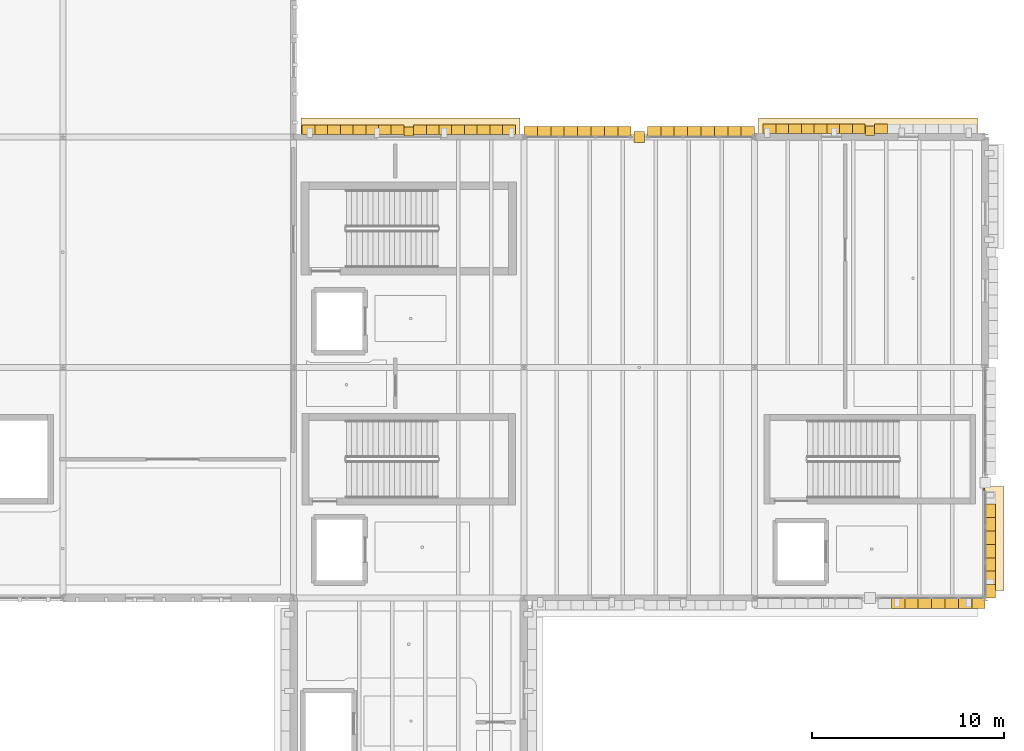
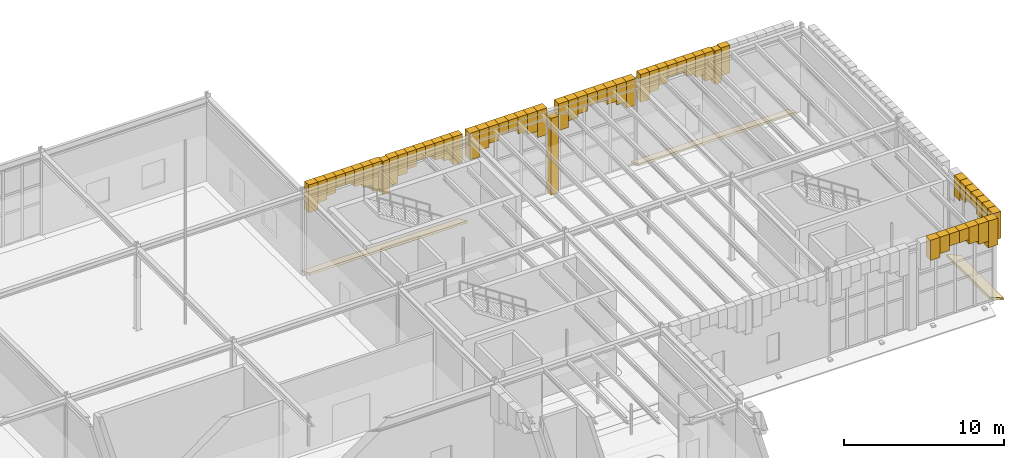
# One storey, part 60 of 62: 61 coverings.
"""IFC4 building model written with IfcOpenShell, lengths in metres."""

from ifc_helpers import new_model, si_unit, direction, frame, origin, place, context, subcontext, project, spatial, polyline, outline, extrude, material, layer, layer_set, type_object, element, save


model = new_model("IFC4")

# Units and contexts
model_context = context("Model", 3, precision=1e-05, world=origin(), true_north=direction((0.0, 1.0)))
body_context = subcontext(model_context, "Body", "Model", "MODEL_VIEW")
ifc_project = project(units=[si_unit("LENGTHUNIT", "METRE"), si_unit("AREAUNIT", "SQUARE_METRE"), si_unit("VOLUMEUNIT", "CUBIC_METRE"), si_unit("PLANEANGLEUNIT", "RADIAN"), si_unit("MASSUNIT", "GRAM", prefix="KILO")], contexts=[model_context])

# Site, building, storey
site_placement = place(None, origin())
site = spatial("IfcSite", under=ifc_project, at=site_placement, CompositionType="ELEMENT")
building_placement = place(site_placement, origin())
building = spatial("IfcBuilding", under=site, at=building_placement, Name="Zlatogorsky Bluff Art Gallery", CompositionType="ELEMENT")
storey_placement = place(building_placement, frame((0.0, 0.0, 16.800048828125)))
storey = spatial("IfcBuildingStorey", under=building, at=storey_placement, Name="L03", CompositionType="ELEMENT", Elevation=16.800048828125)

# Coverings
ifc_material = material(Name="Honed Red Agra-Tone Quartzitic Sandstone", Category="masonry")
ifc_layer = layer(ifc_material, 0.1201171875)
ifc_layer_set = layer_set([ifc_layer], Name="Carved Sandstone Cladding CLD-02")
covering_type = type_object("IfcCoveringType", Name="Carved Sandstone Cladding CLD-02", PredefinedType="CLADDING", material=ifc_layer_set)
covering_1_placement = place(storey_placement, frame((0.0, 0.0, 4.0)))
element("IfcCovering", 1, at=covering_1_placement, inside=storey, type_object=covering_type, Name="Mughal blind-arch sandstone pilaster L03.N.10.9", PredefinedType="CLADDING", context=body_context, shape_type="SweptSolid", body=[
    extrude(outline(polyline([(125.760009765625, 108.0400390625), (126.239990234375, 108.0400390625), (126.239990234375, 108.52001953125), (125.760009765625, 108.52001953125), (125.760009765625, 108.0400390625)])), origin(), (0.0, 0.0, 1.0), 2.56005859375),
])
covering_2_placement = place(storey_placement, frame((0.0, 0.0, 4.4423828125)))
element("IfcCovering", 2, at=covering_2_placement, inside=storey, type_object=covering_type, Name="Pointed Mughal arch voussoir spandrel WARCH-L03-N-10-09-A.1", PredefinedType="CLADDING", context=body_context, shape_type="SweptSolid", body=[
    extrude(outline(polyline([(120.449951171875, 108.1298828125), (121.112548828125, 108.1298828125), (121.112548828125, 108.6201171875), (120.449951171875, 108.6201171875), (120.449951171875, 108.1298828125)])), origin(), (0.0, 0.0, 1.0), 2.11767578125),
])
covering_3_placement = place(storey_placement, frame((0.0, 0.0, 4.9736328125)))
element("IfcCovering", 3, at=covering_3_placement, inside=storey, type_object=covering_type, Name="Pointed Mughal arch voussoir spandrel WARCH-L03-N-10-09-A.2", PredefinedType="CLADDING", context=body_context, shape_type="SweptSolid", body=[
    extrude(outline(polyline([(121.112548828125, 108.1298828125), (121.77490234375, 108.1298828125), (121.77490234375, 108.6201171875), (121.112548828125, 108.6201171875), (121.112548828125, 108.1298828125)])), origin(), (0.0, 0.0, 1.0), 1.58642578125),
])
covering_4_placement = place(storey_placement, frame((0.0, 0.0, 5.2666015625)))
element("IfcCovering", 4, at=covering_4_placement, inside=storey, type_object=covering_type, Name="Pointed Mughal arch voussoir spandrel WARCH-L03-N-10-09-A.3", PredefinedType="CLADDING", context=body_context, shape_type="SweptSolid", body=[
    extrude(outline(polyline([(121.77490234375, 108.1298828125), (122.4375, 108.1298828125), (122.4375, 108.6201171875), (121.77490234375, 108.6201171875), (121.77490234375, 108.1298828125)])), origin(), (0.0, 0.0, 1.0), 1.29345703125),
])
covering_5_placement = place(storey_placement, frame((0.0, 0.0, 5.63525390625)))
element("IfcCovering", 5, at=covering_5_placement, inside=storey, type_object=covering_type, Name="Pointed Mughal arch voussoir spandrel WARCH-L03-N-10-09-A.4", PredefinedType="CLADDING", context=body_context, shape_type="SweptSolid", body=[
    extrude(outline(polyline([(122.4375, 108.1298828125), (123.10009765625, 108.1298828125), (123.10009765625, 108.6201171875), (122.4375, 108.6201171875), (122.4375, 108.1298828125)])), origin(), (0.0, 0.0, 1.0), 0.9248046875),
])
covering_6_placement = place(storey_placement, frame((0.0, 0.0, 5.63525390625)))
element("IfcCovering", 6, at=covering_6_placement, inside=storey, type_object=covering_type, Name="Pointed Mughal arch voussoir spandrel WARCH-L03-N-10-09-A.5", PredefinedType="CLADDING", context=body_context, shape_type="SweptSolid", body=[
    extrude(outline(polyline([(123.10009765625, 108.1298828125), (123.762451171875, 108.1298828125), (123.762451171875, 108.6201171875), (123.10009765625, 108.6201171875), (123.10009765625, 108.1298828125)])), origin(), (0.0, 0.0, 1.0), 0.9248046875),
])
covering_7_placement = place(storey_placement, frame((0.0, 0.0, 5.2666015625)))
element("IfcCovering", 7, at=covering_7_placement, inside=storey, type_object=covering_type, Name="Pointed Mughal arch voussoir spandrel WARCH-L03-N-10-09-A.6", PredefinedType="CLADDING", context=body_context, shape_type="SweptSolid", body=[
    extrude(outline(polyline([(123.762451171875, 108.1298828125), (124.425048828125, 108.1298828125), (124.425048828125, 108.6201171875), (123.762451171875, 108.6201171875), (123.762451171875, 108.1298828125)])), origin(), (0.0, 0.0, 1.0), 1.29345703125),
])
covering_8_placement = place(storey_placement, frame((0.0, 0.0, 4.9736328125)))
element("IfcCovering", 8, at=covering_8_placement, inside=storey, type_object=covering_type, Name="Pointed Mughal arch voussoir spandrel WARCH-L03-N-10-09-A.7", PredefinedType="CLADDING", context=body_context, shape_type="SweptSolid", body=[
    extrude(outline(polyline([(124.425048828125, 108.1298828125), (125.08740234375, 108.1298828125), (125.08740234375, 108.6201171875), (124.425048828125, 108.6201171875), (124.425048828125, 108.1298828125)])), origin(), (0.0, 0.0, 1.0), 1.58642578125),
])
covering_9_placement = place(storey_placement, frame((0.0, 0.0, 4.4423828125)))
element("IfcCovering", 9, at=covering_9_placement, inside=storey, type_object=covering_type, Name="Pointed Mughal arch voussoir spandrel WARCH-L03-N-10-09-A.8", PredefinedType="CLADDING", context=body_context, shape_type="SweptSolid", body=[
    extrude(outline(polyline([(125.08740234375, 108.1298828125), (125.75, 108.1298828125), (125.75, 108.6201171875), (125.08740234375, 108.6201171875), (125.08740234375, 108.1298828125)])), origin(), (0.0, 0.0, 1.0), 2.11767578125),
])
covering_10_placement = place(storey_placement, frame((0.0, 0.0, 4.4423828125)))
element("IfcCovering", 10, at=covering_10_placement, inside=storey, type_object=covering_type, Name="Pointed Mughal arch voussoir spandrel WARCH-L03-N-10-09-B.1", PredefinedType="CLADDING", context=body_context, shape_type="SweptSolid", body=[
    extrude(outline(polyline([(126.25, 108.1298828125), (126.91259765625, 108.1298828125), (126.91259765625, 108.6201171875), (126.25, 108.6201171875), (126.25, 108.1298828125)])), origin(), (0.0, 0.0, 1.0), 2.11767578125),
])
covering_11_placement = place(storey_placement, frame((0.0, 0.0, 4.9736328125)))
element("IfcCovering", 11, at=covering_11_placement, inside=storey, type_object=covering_type, Name="Pointed Mughal arch voussoir spandrel WARCH-L03-N-10-09-B.2", PredefinedType="CLADDING", context=body_context, shape_type="SweptSolid", body=[
    extrude(outline(polyline([(126.91259765625, 108.1298828125), (127.574951171875, 108.1298828125), (127.574951171875, 108.6201171875), (126.91259765625, 108.6201171875), (126.91259765625, 108.1298828125)])), origin(), (0.0, 0.0, 1.0), 1.58642578125),
])
covering_12_placement = place(storey_placement, frame((0.0, 0.0, 5.2666015625)))
element("IfcCovering", 12, at=covering_12_placement, inside=storey, type_object=covering_type, Name="Pointed Mughal arch voussoir spandrel WARCH-L03-N-10-09-B.3", PredefinedType="CLADDING", context=body_context, shape_type="SweptSolid", body=[
    extrude(outline(polyline([(127.574951171875, 108.1298828125), (128.237548828125, 108.1298828125), (128.237548828125, 108.6201171875), (127.574951171875, 108.6201171875), (127.574951171875, 108.1298828125)])), origin(), (0.0, 0.0, 1.0), 1.29345703125),
])
covering_13_placement = place(storey_placement, frame((0.0, 0.0, 5.63525390625)))
element("IfcCovering", 13, at=covering_13_placement, inside=storey, type_object=covering_type, Name="Pointed Mughal arch voussoir spandrel WARCH-L03-N-10-09-B.4", PredefinedType="CLADDING", context=body_context, shape_type="SweptSolid", body=[
    extrude(outline(polyline([(128.237548828125, 108.1298828125), (128.89990234375, 108.1298828125), (128.89990234375, 108.6201171875), (128.237548828125, 108.6201171875), (128.237548828125, 108.1298828125)])), origin(), (0.0, 0.0, 1.0), 0.9248046875),
])
covering_14_placement = place(storey_placement, frame((0.0, 0.0, 5.63525390625)))
element("IfcCovering", 14, at=covering_14_placement, inside=storey, type_object=covering_type, Name="Pointed Mughal arch voussoir spandrel WARCH-L03-N-10-09-B.5", PredefinedType="CLADDING", context=body_context, shape_type="SweptSolid", body=[
    extrude(outline(polyline([(128.89990234375, 108.1298828125), (129.5625, 108.1298828125), (129.5625, 108.6201171875), (128.89990234375, 108.6201171875), (128.89990234375, 108.1298828125)])), origin(), (0.0, 0.0, 1.0), 0.9248046875),
])
covering_15_placement = place(storey_placement, frame((0.0, 0.0, 5.2666015625)))
element("IfcCovering", 15, at=covering_15_placement, inside=storey, type_object=covering_type, Name="Pointed Mughal arch voussoir spandrel WARCH-L03-N-10-09-B.6", PredefinedType="CLADDING", context=body_context, shape_type="SweptSolid", body=[
    extrude(outline(polyline([(129.5625, 108.1298828125), (130.22509765625, 108.1298828125), (130.22509765625, 108.6201171875), (129.5625, 108.6201171875), (129.5625, 108.1298828125)])), origin(), (0.0, 0.0, 1.0), 1.29345703125),
])
covering_16_placement = place(storey_placement, frame((0.0, 0.0, 4.9736328125)))
element("IfcCovering", 16, at=covering_16_placement, inside=storey, type_object=covering_type, Name="Pointed Mughal arch voussoir spandrel WARCH-L03-N-10-09-B.7", PredefinedType="CLADDING", context=body_context, shape_type="SweptSolid", body=[
    extrude(outline(polyline([(130.22509765625, 108.1298828125), (130.887451171875, 108.1298828125), (130.887451171875, 108.6201171875), (130.22509765625, 108.6201171875), (130.22509765625, 108.1298828125)])), origin(), (0.0, 0.0, 1.0), 1.58642578125),
])
covering_17_placement = place(storey_placement, frame((0.0, 0.0, 4.4423828125)))
element("IfcCovering", 17, at=covering_17_placement, inside=storey, type_object=covering_type, Name="Pointed Mughal arch voussoir spandrel WARCH-L03-N-10-09-B.8", PredefinedType="CLADDING", context=body_context, shape_type="SweptSolid", body=[
    extrude(outline(polyline([(130.887451171875, 108.1298828125), (131.550048828125, 108.1298828125), (131.550048828125, 108.6201171875), (130.887451171875, 108.6201171875), (130.887451171875, 108.1298828125)])), origin(), (0.0, 0.0, 1.0), 2.11767578125),
])
covering_18_placement = place(storey_placement, frame((0.0, 0.0, -0.030029296875)))
element("IfcCovering", 18, at=covering_18_placement, inside=storey, type_object=covering_type, Name="Mughal dalan central sandstone pier L03 N 11.9", PredefinedType="CLADDING", context=body_context, shape_type="SweptSolid", body=[
    extrude(outline(polyline([(137.719970703125, 107.719970703125), (138.280029296875, 107.719970703125), (138.280029296875, 108.280029296875), (137.719970703125, 108.280029296875), (137.719970703125, 107.719970703125)])), origin(), (0.0, 0.0, 1.0), 5.8798828125),
])
covering_19_placement = place(storey_placement, frame((0.0, 0.0, 4.517822265625)))
element("IfcCovering", 19, at=covering_19_placement, inside=storey, type_object=covering_type, Name="Pointed Mughal arch voussoir spandrel ARCH-CW-L03-N-11-09-A.1", PredefinedType="CLADDING", context=body_context, shape_type="SweptSolid", body=[
    extrude(outline(polyline([(138.419921875, 107.969970703125), (139.117431640625, 107.969970703125), (139.117431640625, 108.5400390625), (138.419921875, 108.5400390625), (138.419921875, 107.969970703125)])), origin(), (0.0, 0.0, 1.0), 2.042236328125),
])
covering_20_placement = place(storey_placement, frame((0.0, 0.0, 5.01953125)))
element("IfcCovering", 20, at=covering_20_placement, inside=storey, type_object=covering_type, Name="Pointed Mughal arch voussoir spandrel ARCH-CW-L03-N-11-09-A.2", PredefinedType="CLADDING", context=body_context, shape_type="SweptSolid", body=[
    extrude(outline(polyline([(139.117431640625, 107.969970703125), (139.81494140625, 107.969970703125), (139.81494140625, 108.5400390625), (139.117431640625, 108.5400390625), (139.117431640625, 107.969970703125)])), origin(), (0.0, 0.0, 1.0), 1.54052734375),
])
covering_21_placement = place(storey_placement, frame((0.0, 0.0, 5.29638671875)))
element("IfcCovering", 21, at=covering_21_placement, inside=storey, type_object=covering_type, Name="Pointed Mughal arch voussoir spandrel ARCH-CW-L03-N-11-09-A.3", PredefinedType="CLADDING", context=body_context, shape_type="SweptSolid", body=[
    extrude(outline(polyline([(139.81494140625, 107.969970703125), (140.512451171875, 107.969970703125), (140.512451171875, 108.5400390625), (139.81494140625, 108.5400390625), (139.81494140625, 107.969970703125)])), origin(), (0.0, 0.0, 1.0), 1.263671875),
])
covering_22_placement = place(storey_placement, frame((0.0, 0.0, 5.64453125)))
element("IfcCovering", 22, at=covering_22_placement, inside=storey, type_object=covering_type, Name="Pointed Mughal arch voussoir spandrel ARCH-CW-L03-N-11-09-A.4", PredefinedType="CLADDING", context=body_context, shape_type="SweptSolid", body=[
    extrude(outline(polyline([(140.512451171875, 107.969970703125), (141.2099609375, 107.969970703125), (141.2099609375, 108.5400390625), (140.512451171875, 108.5400390625), (140.512451171875, 107.969970703125)])), origin(), (0.0, 0.0, 1.0), 0.91552734375),
])
covering_23_placement = place(storey_placement, frame((0.0, 0.0, 5.64453125)))
element("IfcCovering", 23, at=covering_23_placement, inside=storey, type_object=covering_type, Name="Pointed Mughal arch voussoir spandrel ARCH-CW-L03-N-11-09-A.5", PredefinedType="CLADDING", context=body_context, shape_type="SweptSolid", body=[
    extrude(outline(polyline([(141.2099609375, 107.969970703125), (141.907470703125, 107.969970703125), (141.907470703125, 108.5400390625), (141.2099609375, 108.5400390625), (141.2099609375, 107.969970703125)])), origin(), (0.0, 0.0, 1.0), 0.91552734375),
])
covering_24_placement = place(storey_placement, frame((0.0, 0.0, 5.29638671875)))
element("IfcCovering", 24, at=covering_24_placement, inside=storey, type_object=covering_type, Name="Pointed Mughal arch voussoir spandrel ARCH-CW-L03-N-11-09-A.6", PredefinedType="CLADDING", context=body_context, shape_type="SweptSolid", body=[
    extrude(outline(polyline([(141.907470703125, 107.969970703125), (142.60498046875, 107.969970703125), (142.60498046875, 108.5400390625), (141.907470703125, 108.5400390625), (141.907470703125, 107.969970703125)])), origin(), (0.0, 0.0, 1.0), 1.263671875),
])
covering_25_placement = place(storey_placement, frame((0.0, 0.0, 5.01953125)))
element("IfcCovering", 25, at=covering_25_placement, inside=storey, type_object=covering_type, Name="Pointed Mughal arch voussoir spandrel ARCH-CW-L03-N-11-09-A.7", PredefinedType="CLADDING", context=body_context, shape_type="SweptSolid", body=[
    extrude(outline(polyline([(142.60498046875, 107.969970703125), (143.302490234375, 107.969970703125), (143.302490234375, 108.5400390625), (142.60498046875, 108.5400390625), (142.60498046875, 107.969970703125)])), origin(), (0.0, 0.0, 1.0), 1.54052734375),
])
covering_26_placement = place(storey_placement, frame((0.0, 0.0, 4.517822265625)))
element("IfcCovering", 26, at=covering_26_placement, inside=storey, type_object=covering_type, Name="Pointed Mughal arch voussoir spandrel ARCH-CW-L03-N-11-09-A.8", PredefinedType="CLADDING", context=body_context, shape_type="SweptSolid", body=[
    extrude(outline(polyline([(143.302490234375, 107.969970703125), (144.0, 107.969970703125), (144.0, 108.5400390625), (143.302490234375, 108.5400390625), (143.302490234375, 107.969970703125)])), origin(), (0.0, 0.0, 1.0), 2.042236328125),
])
covering_27_placement = place(storey_placement, frame((0.0, 0.0, 4.517822265625)))
element("IfcCovering", 27, at=covering_27_placement, inside=storey, type_object=covering_type, Name="Pointed Mughal arch voussoir spandrel ARCH-CW-L03-N-11-09-B.1", PredefinedType="CLADDING", context=body_context, shape_type="SweptSolid", body=[
    extrude(outline(polyline([(132.0, 107.969970703125), (132.697509765625, 107.969970703125), (132.697509765625, 108.5400390625), (132.0, 108.5400390625), (132.0, 107.969970703125)])), origin(), (0.0, 0.0, 1.0), 2.042236328125),
])
covering_28_placement = place(storey_placement, frame((0.0, 0.0, 5.01953125)))
element("IfcCovering", 28, at=covering_28_placement, inside=storey, type_object=covering_type, Name="Pointed Mughal arch voussoir spandrel ARCH-CW-L03-N-11-09-B.2", PredefinedType="CLADDING", context=body_context, shape_type="SweptSolid", body=[
    extrude(outline(polyline([(132.697509765625, 107.969970703125), (133.39501953125, 107.969970703125), (133.39501953125, 108.5400390625), (132.697509765625, 108.5400390625), (132.697509765625, 107.969970703125)])), origin(), (0.0, 0.0, 1.0), 1.54052734375),
])
covering_29_placement = place(storey_placement, frame((0.0, 0.0, 5.29638671875)))
element("IfcCovering", 29, at=covering_29_placement, inside=storey, type_object=covering_type, Name="Pointed Mughal arch voussoir spandrel ARCH-CW-L03-N-11-09-B.3", PredefinedType="CLADDING", context=body_context, shape_type="SweptSolid", body=[
    extrude(outline(polyline([(133.39501953125, 107.969970703125), (134.092529296875, 107.969970703125), (134.092529296875, 108.5400390625), (133.39501953125, 108.5400390625), (133.39501953125, 107.969970703125)])), origin(), (0.0, 0.0, 1.0), 1.263671875),
])
covering_30_placement = place(storey_placement, frame((0.0, 0.0, 5.64453125)))
element("IfcCovering", 30, at=covering_30_placement, inside=storey, type_object=covering_type, Name="Pointed Mughal arch voussoir spandrel ARCH-CW-L03-N-11-09-B.4", PredefinedType="CLADDING", context=body_context, shape_type="SweptSolid", body=[
    extrude(outline(polyline([(134.092529296875, 107.969970703125), (134.7900390625, 107.969970703125), (134.7900390625, 108.5400390625), (134.092529296875, 108.5400390625), (134.092529296875, 107.969970703125)])), origin(), (0.0, 0.0, 1.0), 0.91552734375),
])
covering_31_placement = place(storey_placement, frame((0.0, 0.0, 5.64453125)))
element("IfcCovering", 31, at=covering_31_placement, inside=storey, type_object=covering_type, Name="Pointed Mughal arch voussoir spandrel ARCH-CW-L03-N-11-09-B.5", PredefinedType="CLADDING", context=body_context, shape_type="SweptSolid", body=[
    extrude(outline(polyline([(134.7900390625, 107.969970703125), (135.487548828125, 107.969970703125), (135.487548828125, 108.5400390625), (134.7900390625, 108.5400390625), (134.7900390625, 107.969970703125)])), origin(), (0.0, 0.0, 1.0), 0.91552734375),
])
covering_32_placement = place(storey_placement, frame((0.0, 0.0, 5.29638671875)))
element("IfcCovering", 32, at=covering_32_placement, inside=storey, type_object=covering_type, Name="Pointed Mughal arch voussoir spandrel ARCH-CW-L03-N-11-09-B.6", PredefinedType="CLADDING", context=body_context, shape_type="SweptSolid", body=[
    extrude(outline(polyline([(135.487548828125, 107.969970703125), (136.18505859375, 107.969970703125), (136.18505859375, 108.5400390625), (135.487548828125, 108.5400390625), (135.487548828125, 107.969970703125)])), origin(), (0.0, 0.0, 1.0), 1.263671875),
])
covering_33_placement = place(storey_placement, frame((0.0, 0.0, 5.01953125)))
element("IfcCovering", 33, at=covering_33_placement, inside=storey, type_object=covering_type, Name="Pointed Mughal arch voussoir spandrel ARCH-CW-L03-N-11-09-B.7", PredefinedType="CLADDING", context=body_context, shape_type="SweptSolid", body=[
    extrude(outline(polyline([(136.18505859375, 107.969970703125), (136.882568359375, 107.969970703125), (136.882568359375, 108.5400390625), (136.18505859375, 108.5400390625), (136.18505859375, 107.969970703125)])), origin(), (0.0, 0.0, 1.0), 1.54052734375),
])
covering_34_placement = place(storey_placement, frame((0.0, 0.0, 4.517822265625)))
element("IfcCovering", 34, at=covering_34_placement, inside=storey, type_object=covering_type, Name="Pointed Mughal arch voussoir spandrel ARCH-CW-L03-N-11-09-B.8", PredefinedType="CLADDING", context=body_context, shape_type="SweptSolid", body=[
    extrude(outline(polyline([(136.882568359375, 107.969970703125), (137.580078125, 107.969970703125), (137.580078125, 108.5400390625), (136.882568359375, 108.5400390625), (136.882568359375, 107.969970703125)])), origin(), (0.0, 0.0, 1.0), 2.042236328125),
])
covering_35_placement = place(storey_placement, frame((0.0, 0.0, 5.01953125)))
element("IfcCovering", 35, at=covering_35_placement, inside=storey, type_object=covering_type, Name="Pointed Mughal arch voussoir spandrel ARCH-CW-L03-S-12-08-B.2", PredefinedType="CLADDING", context=body_context, shape_type="SweptSolid", body=[
    extrude(outline(polyline([(151.117431640625, 83.4599609375), (151.81494140625, 83.4599609375), (151.81494140625, 84.030029296875), (151.117431640625, 84.030029296875), (151.117431640625, 83.4599609375)])), origin(), (0.0, 0.0, 1.0), 1.54052734375),
])
covering_36_placement = place(storey_placement, frame((0.0, 0.0, 5.29638671875)))
element("IfcCovering", 36, at=covering_36_placement, inside=storey, type_object=covering_type, Name="Pointed Mughal arch voussoir spandrel ARCH-CW-L03-S-12-08-B.3", PredefinedType="CLADDING", context=body_context, shape_type="SweptSolid", body=[
    extrude(outline(polyline([(151.81494140625, 83.4599609375), (152.512451171875, 83.4599609375), (152.512451171875, 84.030029296875), (151.81494140625, 84.030029296875), (151.81494140625, 83.4599609375)])), origin(), (0.0, 0.0, 1.0), 1.263671875),
])
covering_37_placement = place(storey_placement, frame((0.0, 0.0, 5.64453125)))
element("IfcCovering", 37, at=covering_37_placement, inside=storey, type_object=covering_type, Name="Pointed Mughal arch voussoir spandrel ARCH-CW-L03-S-12-08-B.4", PredefinedType="CLADDING", context=body_context, shape_type="SweptSolid", body=[
    extrude(outline(polyline([(152.512451171875, 83.4599609375), (153.2099609375, 83.4599609375), (153.2099609375, 84.030029296875), (152.512451171875, 84.030029296875), (152.512451171875, 83.4599609375)])), origin(), (0.0, 0.0, 1.0), 0.91552734375),
])
covering_38_placement = place(storey_placement, frame((0.0, 0.0, 5.64453125)))
element("IfcCovering", 38, at=covering_38_placement, inside=storey, type_object=covering_type, Name="Pointed Mughal arch voussoir spandrel ARCH-CW-L03-S-12-08-B.5", PredefinedType="CLADDING", context=body_context, shape_type="SweptSolid", body=[
    extrude(outline(polyline([(153.2099609375, 83.4599609375), (153.907470703125, 83.4599609375), (153.907470703125, 84.030029296875), (153.2099609375, 84.030029296875), (153.2099609375, 83.4599609375)])), origin(), (0.0, 0.0, 1.0), 0.91552734375),
])
covering_39_placement = place(storey_placement, frame((0.0, 0.0, 5.29638671875)))
element("IfcCovering", 39, at=covering_39_placement, inside=storey, type_object=covering_type, Name="Pointed Mughal arch voussoir spandrel ARCH-CW-L03-S-12-08-B.6", PredefinedType="CLADDING", context=body_context, shape_type="SweptSolid", body=[
    extrude(outline(polyline([(153.907470703125, 83.4599609375), (154.60498046875, 83.4599609375), (154.60498046875, 84.030029296875), (153.907470703125, 84.030029296875), (153.907470703125, 83.4599609375)])), origin(), (0.0, 0.0, 1.0), 1.263671875),
])
covering_40_placement = place(storey_placement, frame((0.0, 0.0, 5.01953125)))
element("IfcCovering", 40, at=covering_40_placement, inside=storey, type_object=covering_type, Name="Pointed Mughal arch voussoir spandrel ARCH-CW-L03-S-12-08-B.7", PredefinedType="CLADDING", context=body_context, shape_type="SweptSolid", body=[
    extrude(outline(polyline([(154.60498046875, 83.4599609375), (155.302490234375, 83.4599609375), (155.302490234375, 84.030029296875), (154.60498046875, 84.030029296875), (154.60498046875, 83.4599609375)])), origin(), (0.0, 0.0, 1.0), 1.54052734375),
])
covering_41_placement = place(storey_placement, frame((0.0, 0.0, 4.517822265625)))
element("IfcCovering", 41, at=covering_41_placement, inside=storey, type_object=covering_type, Name="Pointed Mughal arch voussoir spandrel ARCH-CW-L03-S-12-08-B.8", PredefinedType="CLADDING", context=body_context, shape_type="SweptSolid", body=[
    extrude(outline(polyline([(155.302490234375, 83.4599609375), (156.0, 83.4599609375), (156.0, 84.030029296875), (155.302490234375, 84.030029296875), (155.302490234375, 83.4599609375)])), origin(), (0.0, 0.0, 1.0), 2.042236328125),
])
covering_42_placement = place(storey_placement, frame((0.0, 0.0, 4.517822265625)))
element("IfcCovering", 42, at=covering_42_placement, inside=storey, type_object=covering_type, Name="Pointed Mughal arch voussoir spandrel ARCH-CW-L03-E-12-08-A.1", PredefinedType="CLADDING", context=body_context, shape_type="SweptSolid", body=[
    extrude(outline(polyline([(155.969970703125, 84.0), (155.969970703125, 84.697509765625), (156.5400390625, 84.697509765625), (156.5400390625, 84.0), (155.969970703125, 84.0)])), origin(), (0.0, 0.0, 1.0), 2.042236328125),
])
covering_43_placement = place(storey_placement, frame((0.0, 0.0, 5.01953125)))
element("IfcCovering", 43, at=covering_43_placement, inside=storey, type_object=covering_type, Name="Pointed Mughal arch voussoir spandrel ARCH-CW-L03-E-12-08-A.2", PredefinedType="CLADDING", context=body_context, shape_type="SweptSolid", body=[
    extrude(outline(polyline([(155.969970703125, 84.697509765625), (155.969970703125, 85.39501953125), (156.5400390625, 85.39501953125), (156.5400390625, 84.697509765625), (155.969970703125, 84.697509765625)])), origin(), (0.0, 0.0, 1.0), 1.54052734375),
])
covering_44_placement = place(storey_placement, frame((0.0, 0.0, 5.29638671875)))
element("IfcCovering", 44, at=covering_44_placement, inside=storey, type_object=covering_type, Name="Pointed Mughal arch voussoir spandrel ARCH-CW-L03-E-12-08-A.3", PredefinedType="CLADDING", context=body_context, shape_type="SweptSolid", body=[
    extrude(outline(polyline([(155.969970703125, 85.39501953125), (155.969970703125, 86.092529296875), (156.5400390625, 86.092529296875), (156.5400390625, 85.39501953125), (155.969970703125, 85.39501953125)])), origin(), (0.0, 0.0, 1.0), 1.263671875),
])
covering_45_placement = place(storey_placement, frame((0.0, 0.0, 5.64453125)))
element("IfcCovering", 45, at=covering_45_placement, inside=storey, type_object=covering_type, Name="Pointed Mughal arch voussoir spandrel ARCH-CW-L03-E-12-08-A.4", PredefinedType="CLADDING", context=body_context, shape_type="SweptSolid", body=[
    extrude(outline(polyline([(155.969970703125, 86.092529296875), (155.969970703125, 86.7900390625), (156.5400390625, 86.7900390625), (156.5400390625, 86.092529296875), (155.969970703125, 86.092529296875)])), origin(), (0.0, 0.0, 1.0), 0.91552734375),
])
covering_46_placement = place(storey_placement, frame((0.0, 0.0, 5.64453125)))
element("IfcCovering", 46, at=covering_46_placement, inside=storey, type_object=covering_type, Name="Pointed Mughal arch voussoir spandrel ARCH-CW-L03-E-12-08-A.5", PredefinedType="CLADDING", context=body_context, shape_type="SweptSolid", body=[
    extrude(outline(polyline([(155.969970703125, 86.7900390625), (155.969970703125, 87.487548828125), (156.5400390625, 87.487548828125), (156.5400390625, 86.7900390625), (155.969970703125, 86.7900390625)])), origin(), (0.0, 0.0, 1.0), 0.91552734375),
])
covering_47_placement = place(storey_placement, frame((0.0, 0.0, 5.29638671875)))
element("IfcCovering", 47, at=covering_47_placement, inside=storey, type_object=covering_type, Name="Pointed Mughal arch voussoir spandrel ARCH-CW-L03-E-12-08-A.6", PredefinedType="CLADDING", context=body_context, shape_type="SweptSolid", body=[
    extrude(outline(polyline([(155.969970703125, 87.487548828125), (155.969970703125, 88.18505859375), (156.5400390625, 88.18505859375), (156.5400390625, 87.487548828125), (155.969970703125, 87.487548828125)])), origin(), (0.0, 0.0, 1.0), 1.263671875),
])
covering_48_placement = place(storey_placement, frame((0.0, 0.0, 5.01953125)))
element("IfcCovering", 48, at=covering_48_placement, inside=storey, type_object=covering_type, Name="Pointed Mughal arch voussoir spandrel ARCH-CW-L03-E-12-08-A.7", PredefinedType="CLADDING", context=body_context, shape_type="SweptSolid", body=[
    extrude(outline(polyline([(155.969970703125, 88.18505859375), (155.969970703125, 88.882568359375), (156.5400390625, 88.882568359375), (156.5400390625, 88.18505859375), (155.969970703125, 88.18505859375)])), origin(), (0.0, 0.0, 1.0), 1.54052734375),
])
covering_49_placement = place(storey_placement, frame((0.0, 0.0, 4.0)))
element("IfcCovering", 49, at=covering_49_placement, inside=storey, type_object=covering_type, Name="Mughal blind-arch sandstone pilaster L03.N.12.9", PredefinedType="CLADDING", context=body_context, shape_type="SweptSolid", body=[
    extrude(outline(polyline([(149.760009765625, 108.080078125), (150.239990234375, 108.080078125), (150.239990234375, 108.56005859375), (149.760009765625, 108.56005859375), (149.760009765625, 108.080078125)])), origin(), (0.0, 0.0, 1.0), 2.56005859375),
])
covering_50_placement = place(storey_placement, frame((0.0, 0.0, 4.4423828125)))
element("IfcCovering", 50, at=covering_50_placement, inside=storey, type_object=covering_type, Name="Pointed Mughal arch voussoir spandrel WARCH-L03-N-12-09-A.1", PredefinedType="CLADDING", context=body_context, shape_type="SweptSolid", body=[
    extrude(outline(polyline([(144.449951171875, 108.169921875), (145.112548828125, 108.169921875), (145.112548828125, 108.659912109375), (144.449951171875, 108.659912109375), (144.449951171875, 108.169921875)])), origin(), (0.0, 0.0, 1.0), 2.11767578125),
])
covering_51_placement = place(storey_placement, frame((0.0, 0.0, 4.9736328125)))
element("IfcCovering", 51, at=covering_51_placement, inside=storey, type_object=covering_type, Name="Pointed Mughal arch voussoir spandrel WARCH-L03-N-12-09-A.2", PredefinedType="CLADDING", context=body_context, shape_type="SweptSolid", body=[
    extrude(outline(polyline([(145.112548828125, 108.169921875), (145.77490234375, 108.169921875), (145.77490234375, 108.659912109375), (145.112548828125, 108.659912109375), (145.112548828125, 108.169921875)])), origin(), (0.0, 0.0, 1.0), 1.58642578125),
])
covering_52_placement = place(storey_placement, frame((0.0, 0.0, 5.2666015625)))
element("IfcCovering", 52, at=covering_52_placement, inside=storey, type_object=covering_type, Name="Pointed Mughal arch voussoir spandrel WARCH-L03-N-12-09-A.3", PredefinedType="CLADDING", context=body_context, shape_type="SweptSolid", body=[
    extrude(outline(polyline([(145.77490234375, 108.169921875), (146.4375, 108.169921875), (146.4375, 108.659912109375), (145.77490234375, 108.659912109375), (145.77490234375, 108.169921875)])), origin(), (0.0, 0.0, 1.0), 1.29345703125),
])
covering_53_placement = place(storey_placement, frame((0.0, 0.0, 5.63525390625)))
element("IfcCovering", 53, at=covering_53_placement, inside=storey, type_object=covering_type, Name="Pointed Mughal arch voussoir spandrel WARCH-L03-N-12-09-A.4", PredefinedType="CLADDING", context=body_context, shape_type="SweptSolid", body=[
    extrude(outline(polyline([(146.4375, 108.169921875), (147.10009765625, 108.169921875), (147.10009765625, 108.659912109375), (146.4375, 108.659912109375), (146.4375, 108.169921875)])), origin(), (0.0, 0.0, 1.0), 0.9248046875),
])
covering_54_placement = place(storey_placement, frame((0.0, 0.0, 5.63525390625)))
element("IfcCovering", 54, at=covering_54_placement, inside=storey, type_object=covering_type, Name="Pointed Mughal arch voussoir spandrel WARCH-L03-N-12-09-A.5", PredefinedType="CLADDING", context=body_context, shape_type="SweptSolid", body=[
    extrude(outline(polyline([(147.10009765625, 108.169921875), (147.762451171875, 108.169921875), (147.762451171875, 108.659912109375), (147.10009765625, 108.659912109375), (147.10009765625, 108.169921875)])), origin(), (0.0, 0.0, 1.0), 0.9248046875),
])
covering_55_placement = place(storey_placement, frame((0.0, 0.0, 5.2666015625)))
element("IfcCovering", 55, at=covering_55_placement, inside=storey, type_object=covering_type, Name="Pointed Mughal arch voussoir spandrel WARCH-L03-N-12-09-A.6", PredefinedType="CLADDING", context=body_context, shape_type="SweptSolid", body=[
    extrude(outline(polyline([(147.762451171875, 108.169921875), (148.425048828125, 108.169921875), (148.425048828125, 108.659912109375), (147.762451171875, 108.659912109375), (147.762451171875, 108.169921875)])), origin(), (0.0, 0.0, 1.0), 1.29345703125),
])
covering_56_placement = place(storey_placement, frame((0.0, 0.0, 4.9736328125)))
element("IfcCovering", 56, at=covering_56_placement, inside=storey, type_object=covering_type, Name="Pointed Mughal arch voussoir spandrel WARCH-L03-N-12-09-A.7", PredefinedType="CLADDING", context=body_context, shape_type="SweptSolid", body=[
    extrude(outline(polyline([(148.425048828125, 108.169921875), (149.08740234375, 108.169921875), (149.08740234375, 108.659912109375), (148.425048828125, 108.659912109375), (148.425048828125, 108.169921875)])), origin(), (0.0, 0.0, 1.0), 1.58642578125),
])
covering_57_placement = place(storey_placement, frame((0.0, 0.0, 4.4423828125)))
element("IfcCovering", 57, at=covering_57_placement, inside=storey, type_object=covering_type, Name="Pointed Mughal arch voussoir spandrel WARCH-L03-N-12-09-A.8", PredefinedType="CLADDING", context=body_context, shape_type="SweptSolid", body=[
    extrude(outline(polyline([(149.08740234375, 108.169921875), (149.75, 108.169921875), (149.75, 108.659912109375), (149.08740234375, 108.659912109375), (149.08740234375, 108.169921875)])), origin(), (0.0, 0.0, 1.0), 2.11767578125),
])
covering_58_placement = place(storey_placement, frame((0.0, 0.0, 4.4423828125)))
element("IfcCovering", 58, at=covering_58_placement, inside=storey, type_object=covering_type, Name="Pointed Mughal arch voussoir spandrel WARCH-L03-N-12-09-B.1", PredefinedType="CLADDING", context=body_context, shape_type="SweptSolid", body=[
    extrude(outline(polyline([(150.25, 108.169921875), (150.91259765625, 108.169921875), (150.91259765625, 108.659912109375), (150.25, 108.659912109375), (150.25, 108.169921875)])), origin(), (0.0, 0.0, 1.0), 2.11767578125),
])
for number, where, z_axis, x_axis, name in (
    (59, (120.39990234375, 107.9599609375, -0.0400390625), (0.0, 0.380683013172, 0.924705598276), (1.0, 0.0, 0.0), "Projecting sloped Mughal chhajja stone eave CHJ-NE-N-L03A"),
    (60, (144.199951171875, 107.9599609375, -0.0400390625), (0.0, 0.380683013172, 0.924705598276), (1.0, 0.0, 0.0), "Projecting sloped Mughal chhajja stone eave CHJ-NE-N-L03B"),
):
    element("IfcCovering", number, at=place(storey_placement, frame(where, z_axis=z_axis, x_axis=x_axis)), inside=storey, type_object=covering_type, Name=name, PredefinedType="CLADDING", context=body_context, shape_type="SweptSolid", body=[
        extrude(outline(polyline([(0.0, 0.0), (11.400146484375, 0.0), (11.400146484375, 1.1030748955691927), (0.0, 1.1030748955691927), (0.0, 0.0)])), origin(), (0.0, 0.0, -1.0), 0.139892578125),
    ])
covering_59_placement = place(storey_placement, frame((155.9599609375, 89.800048828125, -0.0400390625), z_axis=(0.380683013172, 0.0, 0.924705598276), x_axis=(0.0, -1.0, 0.0)))
element("IfcCovering", 61, at=covering_59_placement, inside=storey, type_object=covering_type, Name="Projecting sloped Mughal chhajja stone eave CHJ-NE-E-L03A", PredefinedType="CLADDING", context=body_context, shape_type="SweptSolid", body=[
    extrude(outline(polyline([(0.0, 0.0), (5.400146484375, 0.0), (5.400146484375, 1.1030748955691927), (0.0, 1.1030748955691927), (0.0, 0.0)])), origin(), (0.0, 0.0, -1.0), 0.139892578125),
])

save(model, "model.ifc")
